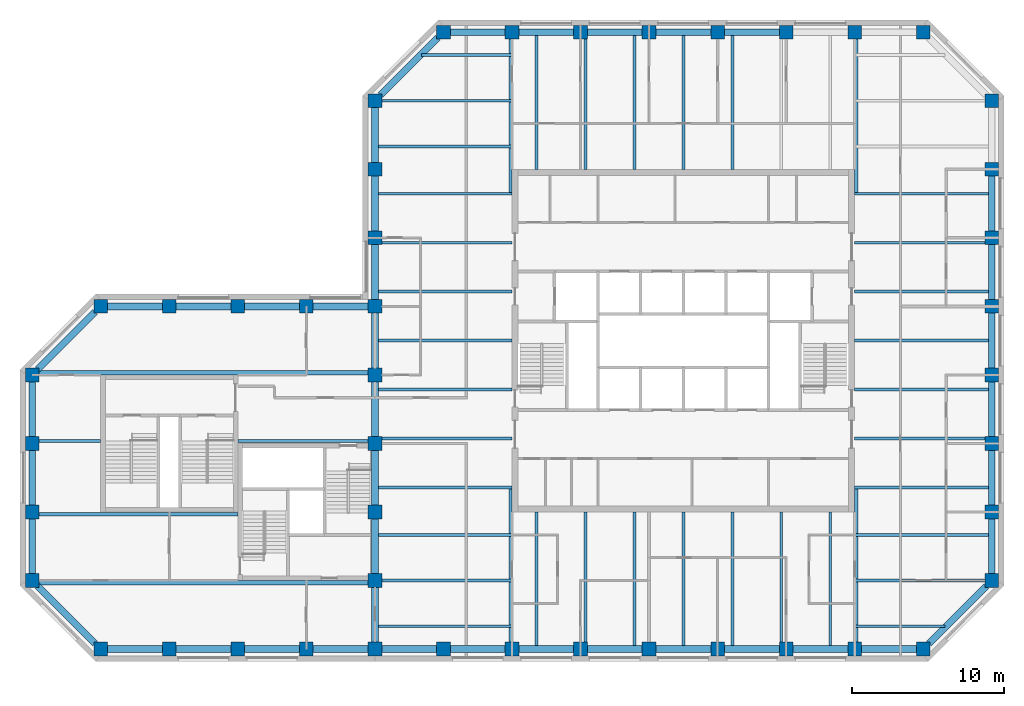
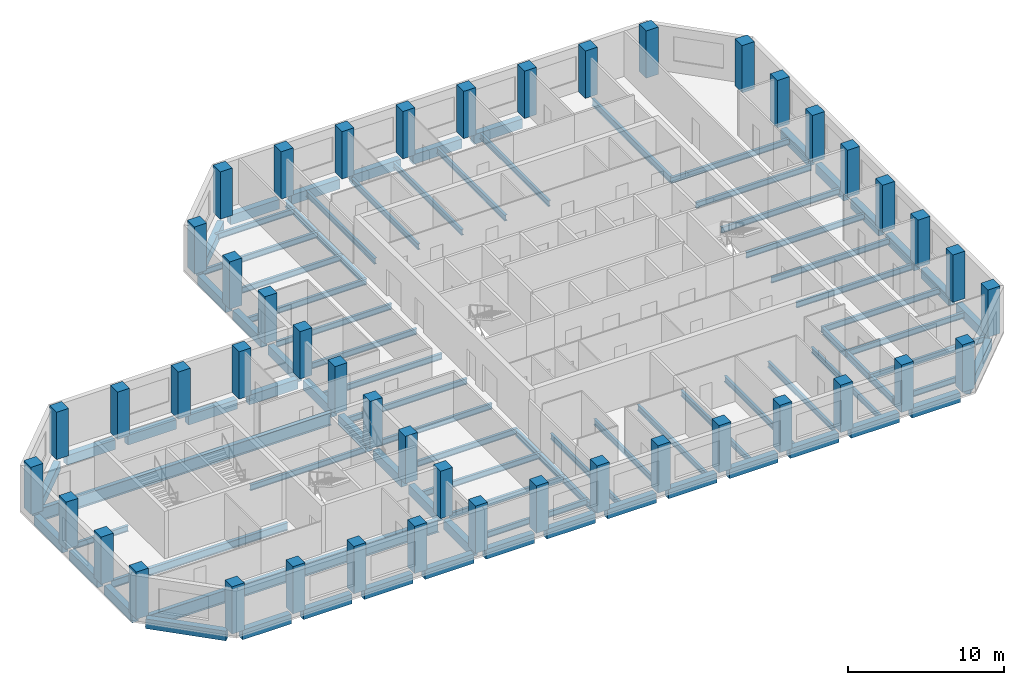
# One storey, part 1 of 9: 86 beams, 45 columns.
"""IFC4 building model written with IfcOpenShell, lengths in metres."""

from ifc_helpers import new_model, si_unit, direction, frame, origin, origin_2d, place, context, subcontext, project, spatial, rectangle, i_section, extrude, material, material_profile, profile_set, type_object, element, save


model = new_model("IFC4")

# Units and contexts
model_context = context("Model", 3, precision=1e-05, world=origin(), true_north=direction((0.0, 1.0)))
body_context = subcontext(model_context, "Body", "Model", "MODEL_VIEW")
ifc_project = project(units=[si_unit("LENGTHUNIT", "METRE"), si_unit("AREAUNIT", "SQUARE_METRE"), si_unit("VOLUMEUNIT", "CUBIC_METRE"), si_unit("PLANEANGLEUNIT", "RADIAN"), si_unit("MASSUNIT", "GRAM", prefix="KILO")], contexts=[model_context])

# Site, building, storey
site_placement = place(None, origin())
site = spatial("IfcSite", under=ifc_project, at=site_placement, CompositionType="ELEMENT")
building_placement = place(site_placement, origin())
building = spatial("IfcBuilding", under=site, at=building_placement, Name="Quoin Convention Tower", CompositionType="ELEMENT")
storey_placement = place(building_placement, frame((0.0, 0.0, 237.800048828125)))
storey = spatial("IfcBuildingStorey", under=building, at=storey_placement, Name="L62", CompositionType="ELEMENT", Elevation=237.800048828125)

# Columns
ifc_material_1 = material(Name="Concrete C50", Category="concrete")
ifc_material_profile_1 = material_profile(ifc_material_1, rectangle(XDim=0.89990234375, YDim=0.89990234375, at=origin_2d()), Name="RC 900x900")
ifc_profile_set_1 = profile_set([ifc_material_profile_1], Name="Concrete C50")
column_type = type_object("IfcColumnType", Name="RC 900x900 C50", PredefinedType="COLUMN", material=ifc_profile_set_1)
for number, where, z_axis, x_axis, name in (
    (1, (18.0, 40.5, 0.0), (0.0, 0.0, 1.0), (1.0, 0.0, 0.0), "col-L62-18000_40500"),
    (2, (22.5, 40.5, 0.0), (0.0, 0.0, 1.0), (1.0, 0.0, 0.0), "col-L62-22500_40500"),
    (3, (27.0, 40.5, 0.0), (0.0, 0.0, 1.0), (1.0, 0.0, 0.0), "col-L62-27000_40500"),
    (4, (31.5, 40.5, 0.0), (0.0, 0.0, 1.0), (1.0, 0.0, 0.0), "col-L62-31500_40500"),
    (5, (36.0, 40.5, 0.0), (0.0, 0.0, 1.0), (1.0, 0.0, 0.0), "col-L62-36000_40500"),
    (6, (40.5, 40.5, 0.0), (0.0, 0.0, 1.0), (1.0, 0.0, 0.0), "col-L62-40500_40500"),
    (7, (45.0, 40.5, 0.0), (0.0, 0.0, 1.0), (1.0, 0.0, 0.0), "col-L62-45000_40500"),
    (8, (49.5, 40.5, 0.0), (0.0, 0.0, 1.0), (1.0, 0.0, 0.0), "col-L62-49500_40500"),
    (9, (54.0, 40.5, 0.0), (0.0, 0.0, 1.0), (1.0, 0.0, 0.0), "col-L62-54000_40500"),
    (10, (58.5, 40.5, 0.0), (0.0, 0.0, 1.0), (1.0, 0.0, 0.0), "col-L62-58500_40500"),
    (11, (63.0, 40.5, 0.0), (0.0, 0.0, 1.0), (1.0, 0.0, 0.0), "col-L62-63000_40500"),
    (12, (67.5, 40.5, 0.0), (0.0, 0.0, 1.0), (1.0, 0.0, 0.0), "col-L62-67500_40500"),
    (13, (72.0, 40.5, 0.0), (0.0, 0.0, 1.0), (1.0, 0.0, 0.0), "col-L62-72000_40500"),
    (14, (13.5, 45.0, 0.0), (0.0, 0.0, 1.0), (1.0, 0.0, 0.0), "col-L62-13500_45000"),
    (15, (36.0, 45.0, 0.0), (0.0, 0.0, 1.0), (1.0, 0.0, 0.0), "web-L62-36000_45000"),
    (16, (76.5, 45.0, 0.0), (0.0, 0.0, 1.0), (1.0, 0.0, 0.0), "col-L62-76500_45000"),
    (17, (13.5, 49.5, 0.0), (0.0, 0.0, 1.0), (1.0, 0.0, 0.0), "col-L62-13500_49500"),
    (18, (36.0, 49.5, 0.0), (0.0, 0.0, 1.0), (1.0, 0.0, 0.0), "web-L62-36000_49500"),
    (19, (76.5, 49.5, 0.0), (0.0, 0.0, 1.0), (1.0, 0.0, 0.0), "col-L62-76500_49500"),
    (20, (13.5, 54.0, 0.0), (0.0, 0.0, 1.0), (1.0, 0.0, 0.0), "col-L62-13500_54000"),
    (21, (36.0, 54.0, 0.0), (0.0, 0.0, 1.0), (1.0, 0.0, 0.0), "web-L62-36000_54000"),
    (22, (76.5, 54.0, 0.0), (0.0, 0.0, 1.0), (1.0, 0.0, 0.0), "col-L62-76500_54000"),
    (23, (13.5, 58.5, 0.0), (0.0, 0.0, 1.0), (1.0, 0.0, 0.0), "col-L62-13500_58500"),
    (24, (36.0, 58.5, 0.0), (0.0, 0.0, 1.0), (1.0, 0.0, 0.0), "web-L62-36000_58500"),
    (25, (76.5, 58.5, 0.0), (0.0, 0.0, 1.0), (1.0, 0.0, 0.0), "col-L62-76500_58500"),
    (26, (18.0, 63.0, 0.0), (0.0, 0.0, 1.0), (1.0, 0.0, 0.0), "col-L62-18000_63000"),
    (27, (22.5, 63.0, 0.0), (0.0, 0.0, 1.0), (1.0, 0.0, 0.0), "col-L62-22500_63000"),
    (28, (27.0, 63.0, 0.0), (0.0, 0.0, 1.0), (1.0, 0.0, 0.0), "col-L62-27000_63000"),
    (29, (31.5, 63.0, 0.0), (0.0, 0.0, 1.0), (1.0, 0.0, 0.0), "col-L62-31500_63000"),
    (30, (36.0, 63.0, 0.0), (0.0, 0.0, 1.0), (1.0, 0.0, 0.0), "col-L62-36000_63000"),
    (31, (76.5, 63.0, 0.0), (0.0, 0.0, 1.0), (1.0, 0.0, 0.0), "col-L62-76500_63000"),
    (32, (36.0, 67.5, 0.0), (0.0, 0.0, 1.0), (1.0, 0.0, 0.0), "col-L62-36000_67500"),
    (33, (76.5, 67.5, 0.0), (0.0, 0.0, 1.0), (1.0, 0.0, 0.0), "col-L62-76500_67500"),
    (34, (36.0, 72.0, 0.0), (0.0, 0.0, 1.0), (1.0, 0.0, 0.0), "col-L62-36000_72000"),
    (35, (76.5, 72.0, 0.0), (0.0, 0.0, 1.0), (1.0, 0.0, 0.0), "col-L62-76500_72000"),
    (36, (36.0, 76.5, 0.0), (0.0, 0.0, 1.0), (1.0, 0.0, 0.0), "col-L62-36000_76500"),
    (37, (76.5, 76.5, 0.0), (0.0, 0.0, 1.0), (1.0, 0.0, 0.0), "col-L62-76500_76500"),
    (38, (40.5, 81.0, 0.0), (0.0, 0.0, 1.0), (1.0, 0.0, 0.0), "col-L62-40500_81000"),
    (39, (45.0, 81.0, 0.0), (0.0, 0.0, 1.0), (1.0, 0.0, 0.0), "col-L62-45000_81000"),
    (40, (49.5, 81.0, 0.0), (0.0, 0.0, 1.0), (1.0, 0.0, 0.0), "col-L62-49500_81000"),
    (41, (54.0, 81.0, 0.0), (0.0, 0.0, 1.0), (1.0, 0.0, 0.0), "col-L62-54000_81000"),
    (42, (58.5, 81.0, 0.0), (0.0, 0.0, 1.0), (1.0, 0.0, 0.0), "col-L62-58500_81000"),
    (43, (63.0, 81.0, 0.0), (0.0, 0.0, 1.0), (1.0, 0.0, 0.0), "col-L62-63000_81000"),
    (44, (67.5, 81.0, 0.0), (0.0, 0.0, 1.0), (1.0, 0.0, 0.0), "col-L62-67500_81000"),
    (45, (72.0, 81.0, 0.0), (0.0, 0.0, 1.0), (1.0, 0.0, 0.0), "col-L62-72000_81000"),
):
    element("IfcColumn", number, at=place(storey_placement, frame(where, z_axis=z_axis, x_axis=x_axis)), inside=storey, type_object=column_type, Name=name, PredefinedType="COLUMN", context=body_context, shape_type="SweptSolid", body=[
        extrude(rectangle(XDim=0.89990234375, YDim=0.89990234375, at=origin_2d()), origin(), (0.0, 0.0, 1.0), 3.699951171875),
    ])

# Beams
ifc_material_2 = material(Name="Steel Grade 300", Category="steel")
ifc_material_profile_2 = material_profile(ifc_material_2, i_section(OverallWidth=0.300048828125, OverallDepth=1.0, WebThickness=0.01611328125, FlangeThickness=0.02001953125, at=origin_2d()), Name="1000WB215")
ifc_profile_set_2 = profile_set([ifc_material_profile_2], Name="Steel Grade 300")
beam_type_1 = type_object("IfcBeamType", Name="1000WB215", PredefinedType="BEAM", material=ifc_profile_set_2)
for number, where, z_axis, x_axis, name in (
    (46, (13.949951171875, 44.85009765625, -0.650146484375), (1.0, 0.0, 0.0), (0.0, 1.0, 0.0), "gir-L62-ST2-1-0"),
    (47, (13.949951171875, 58.64990234375, -0.650146484375), (1.0, 0.0, 0.0), (0.0, 1.0, 0.0), "gir-L62-ST2-4-0"),
):
    element("IfcBeam", number, at=place(storey_placement, frame(where, z_axis=z_axis, x_axis=x_axis)), inside=storey, type_object=beam_type_1, Name=name, PredefinedType="BEAM", context=body_context, shape_type="SweptSolid", body=[
        extrude(i_section(OverallWidth=0.300048828125, OverallDepth=1.0, WebThickness=0.01611328125, FlangeThickness=0.02001953125, at=origin_2d()), origin(), (0.0, 0.0, 1.0), 21.60009765625),
    ])
ifc_material_profile_3 = material_profile(ifc_material_2, i_section(OverallWidth=0.18994140625, OverallDepth=0.4541015625, WebThickness=0.008544921875, FlangeThickness=0.0126953125, FilletRadius=0.011474609375, at=origin_2d()), Name="460UB67.1")
ifc_profile_set_3 = profile_set([ifc_material_profile_3], Name="Steel Grade 300")
beam_type_2 = type_object("IfcBeamType", Name="460UB67.1", PredefinedType="BEAM", material=ifc_profile_set_3)
beam_1_placement = place(storey_placement, frame((36.22509765625, 51.107177734375, -0.376953125), z_axis=(1.0, 0.0, 0.0), x_axis=(0.0, 1.0, 0.0)))
element("IfcBeam", 48, at=beam_1_placement, inside=storey, type_object=beam_type_2, Name="bm-L62-T1W0", PredefinedType="BEAM", context=body_context, shape_type="SweptSolid", body=[
    extrude(i_section(OverallWidth=0.18994140625, OverallDepth=0.4541015625, WebThickness=0.008544921875, FlangeThickness=0.0126953125, FilletRadius=0.011474609375, at=origin_2d()), origin(), (0.0, 0.0, 1.0), 8.77490234375),
])
beam_2_placement = place(storey_placement, frame((36.449951171875, 54.3212890625, -0.376953125), z_axis=(1.0, 0.0, 0.0), x_axis=(0.0, 1.0, 0.0)))
element("IfcBeam", 49, at=beam_2_placement, inside=storey, type_object=beam_type_2, Name="bm-L62-T1W1", PredefinedType="BEAM", context=body_context, shape_type="SweptSolid", body=[
    extrude(i_section(OverallWidth=0.18994140625, OverallDepth=0.4541015625, WebThickness=0.008544921875, FlangeThickness=0.0126953125, FilletRadius=0.011474609375, at=origin_2d()), origin(), (0.0, 0.0, 1.0), 8.550048828125),
])
for number, where, z_axis, x_axis, name in (
    (50, (36.22509765625, 57.53564453125, -0.376953125), (1.0, 0.0, 0.0), (0.0, 1.0, 0.0), "bm-L62-T1W2"),
    (51, (36.22509765625, 60.75, -0.376953125), (1.0, 0.0, 0.0), (0.0, 1.0, 0.0), "bm-L62-T1W3"),
    (52, (36.22509765625, 63.96435546875, -0.376953125), (1.0, 0.0, 0.0), (0.0, 1.0, 0.0), "bm-L62-T1W4"),
):
    element("IfcBeam", number, at=place(storey_placement, frame(where, z_axis=z_axis, x_axis=x_axis)), inside=storey, type_object=beam_type_2, Name=name, PredefinedType="BEAM", context=body_context, shape_type="SweptSolid", body=[
        extrude(i_section(OverallWidth=0.18994140625, OverallDepth=0.4541015625, WebThickness=0.008544921875, FlangeThickness=0.0126953125, FilletRadius=0.011474609375, at=origin_2d()), origin(), (0.0, 0.0, 1.0), 8.77490234375),
    ])
beam_3_placement = place(storey_placement, frame((36.449951171875, 67.1787109375, -0.376953125), z_axis=(1.0, 0.0, 0.0), x_axis=(0.0, 1.0, 0.0)))
element("IfcBeam", 53, at=beam_3_placement, inside=storey, type_object=beam_type_2, Name="bm-L62-T1W5", PredefinedType="BEAM", context=body_context, shape_type="SweptSolid", body=[
    extrude(i_section(OverallWidth=0.18994140625, OverallDepth=0.4541015625, WebThickness=0.008544921875, FlangeThickness=0.0126953125, FilletRadius=0.011474609375, at=origin_2d()), origin(), (0.0, 0.0, 1.0), 8.550048828125),
])
for number, where, z_axis, x_axis, name in (
    (54, (36.22509765625, 70.392822265625, -0.376953125), (1.0, 0.0, 0.0), (0.0, 1.0, 0.0), "bm-L62-T1W6"),
    (55, (67.5, 51.107177734375, -0.376953125), (1.0, 0.0, 0.0), (0.0, 1.0, 0.0), "bm-L62-T1E0"),
):
    element("IfcBeam", number, at=place(storey_placement, frame(where, z_axis=z_axis, x_axis=x_axis)), inside=storey, type_object=beam_type_2, Name=name, PredefinedType="BEAM", context=body_context, shape_type="SweptSolid", body=[
        extrude(i_section(OverallWidth=0.18994140625, OverallDepth=0.4541015625, WebThickness=0.008544921875, FlangeThickness=0.0126953125, FilletRadius=0.011474609375, at=origin_2d()), origin(), (0.0, 0.0, 1.0), 8.77490234375),
    ])
beam_4_placement = place(storey_placement, frame((67.5, 54.3212890625, -0.376953125), z_axis=(1.0, 0.0, 0.0), x_axis=(0.0, 1.0, 0.0)))
element("IfcBeam", 56, at=beam_4_placement, inside=storey, type_object=beam_type_2, Name="bm-L62-T1E1", PredefinedType="BEAM", context=body_context, shape_type="SweptSolid", body=[
    extrude(i_section(OverallWidth=0.18994140625, OverallDepth=0.4541015625, WebThickness=0.008544921875, FlangeThickness=0.0126953125, FilletRadius=0.011474609375, at=origin_2d()), origin(), (0.0, 0.0, 1.0), 8.550048828125),
])
for number, where, z_axis, x_axis, name in (
    (57, (67.5, 57.53564453125, -0.376953125), (1.0, 0.0, 0.0), (0.0, 1.0, 0.0), "bm-L62-T1E2"),
    (58, (67.5, 60.75, -0.376953125), (1.0, 0.0, 0.0), (0.0, 1.0, 0.0), "bm-L62-T1E3"),
    (59, (67.5, 63.96435546875, -0.376953125), (1.0, 0.0, 0.0), (0.0, 1.0, 0.0), "bm-L62-T1E4"),
):
    element("IfcBeam", number, at=place(storey_placement, frame(where, z_axis=z_axis, x_axis=x_axis)), inside=storey, type_object=beam_type_2, Name=name, PredefinedType="BEAM", context=body_context, shape_type="SweptSolid", body=[
        extrude(i_section(OverallWidth=0.18994140625, OverallDepth=0.4541015625, WebThickness=0.008544921875, FlangeThickness=0.0126953125, FilletRadius=0.011474609375, at=origin_2d()), origin(), (0.0, 0.0, 1.0), 8.77490234375),
    ])
beam_5_placement = place(storey_placement, frame((67.5, 67.1787109375, -0.376953125), z_axis=(1.0, 0.0, 0.0), x_axis=(0.0, 1.0, 0.0)))
element("IfcBeam", 60, at=beam_5_placement, inside=storey, type_object=beam_type_2, Name="bm-L62-T1E5", PredefinedType="BEAM", context=body_context, shape_type="SweptSolid", body=[
    extrude(i_section(OverallWidth=0.18994140625, OverallDepth=0.4541015625, WebThickness=0.008544921875, FlangeThickness=0.0126953125, FilletRadius=0.011474609375, at=origin_2d()), origin(), (0.0, 0.0, 1.0), 8.550048828125),
])
for number, where, z_axis, x_axis, name in (
    (61, (67.5, 70.392822265625, -0.376953125), (1.0, 0.0, 0.0), (0.0, 1.0, 0.0), "bm-L62-T1E6"),
    (62, (46.607177734375, 40.72509765625, -0.376953125), (0.0, 1.0, 0.0), (-1.0, 0.0, 0.0), "bm-L62-T1S0"),
):
    element("IfcBeam", number, at=place(storey_placement, frame(where, z_axis=z_axis, x_axis=x_axis)), inside=storey, type_object=beam_type_2, Name=name, PredefinedType="BEAM", context=body_context, shape_type="SweptSolid", body=[
        extrude(i_section(OverallWidth=0.18994140625, OverallDepth=0.4541015625, WebThickness=0.008544921875, FlangeThickness=0.0126953125, FilletRadius=0.011474609375, at=origin_2d()), origin(), (0.0, 0.0, 1.0), 8.77490234375),
    ])
beam_6_placement = place(storey_placement, frame((49.8212890625, 40.949951171875, -0.376953125), z_axis=(0.0, 1.0, 0.0), x_axis=(-1.0, 0.0, 0.0)))
element("IfcBeam", 63, at=beam_6_placement, inside=storey, type_object=beam_type_2, Name="bm-L62-T1S1", PredefinedType="BEAM", context=body_context, shape_type="SweptSolid", body=[
    extrude(i_section(OverallWidth=0.18994140625, OverallDepth=0.4541015625, WebThickness=0.008544921875, FlangeThickness=0.0126953125, FilletRadius=0.011474609375, at=origin_2d()), origin(), (0.0, 0.0, 1.0), 8.550048828125),
])
for number, where, z_axis, x_axis, name in (
    (64, (53.03564453125, 40.72509765625, -0.376953125), (0.0, 1.0, 0.0), (-1.0, 0.0, 0.0), "bm-L62-T1S2"),
    (65, (56.25, 40.72509765625, -0.376953125), (0.0, 1.0, 0.0), (-1.0, 0.0, 0.0), "bm-L62-T1S3"),
    (66, (59.46435546875, 40.72509765625, -0.376953125), (0.0, 1.0, 0.0), (-1.0, 0.0, 0.0), "bm-L62-T1S4"),
):
    element("IfcBeam", number, at=place(storey_placement, frame(where, z_axis=z_axis, x_axis=x_axis)), inside=storey, type_object=beam_type_2, Name=name, PredefinedType="BEAM", context=body_context, shape_type="SweptSolid", body=[
        extrude(i_section(OverallWidth=0.18994140625, OverallDepth=0.4541015625, WebThickness=0.008544921875, FlangeThickness=0.0126953125, FilletRadius=0.011474609375, at=origin_2d()), origin(), (0.0, 0.0, 1.0), 8.77490234375),
    ])
beam_7_placement = place(storey_placement, frame((62.6787109375, 40.949951171875, -0.376953125), z_axis=(0.0, 1.0, 0.0), x_axis=(-1.0, 0.0, 0.0)))
element("IfcBeam", 67, at=beam_7_placement, inside=storey, type_object=beam_type_2, Name="bm-L62-T1S5", PredefinedType="BEAM", context=body_context, shape_type="SweptSolid", body=[
    extrude(i_section(OverallWidth=0.18994140625, OverallDepth=0.4541015625, WebThickness=0.008544921875, FlangeThickness=0.0126953125, FilletRadius=0.011474609375, at=origin_2d()), origin(), (0.0, 0.0, 1.0), 8.550048828125),
])
for number, where, z_axis, x_axis, name in (
    (68, (65.892822265625, 40.72509765625, -0.376953125), (0.0, 1.0, 0.0), (-1.0, 0.0, 0.0), "bm-L62-T1S6"),
    (69, (46.607177734375, 72.0, -0.376953125), (0.0, 1.0, 0.0), (-1.0, 0.0, 0.0), "bm-L62-T1N0"),
):
    element("IfcBeam", number, at=place(storey_placement, frame(where, z_axis=z_axis, x_axis=x_axis)), inside=storey, type_object=beam_type_2, Name=name, PredefinedType="BEAM", context=body_context, shape_type="SweptSolid", body=[
        extrude(i_section(OverallWidth=0.18994140625, OverallDepth=0.4541015625, WebThickness=0.008544921875, FlangeThickness=0.0126953125, FilletRadius=0.011474609375, at=origin_2d()), origin(), (0.0, 0.0, 1.0), 8.77490234375),
    ])
beam_8_placement = place(storey_placement, frame((49.8212890625, 72.0, -0.376953125), z_axis=(0.0, 1.0, 0.0), x_axis=(-1.0, 0.0, 0.0)))
element("IfcBeam", 70, at=beam_8_placement, inside=storey, type_object=beam_type_2, Name="bm-L62-T1N1", PredefinedType="BEAM", context=body_context, shape_type="SweptSolid", body=[
    extrude(i_section(OverallWidth=0.18994140625, OverallDepth=0.4541015625, WebThickness=0.008544921875, FlangeThickness=0.0126953125, FilletRadius=0.011474609375, at=origin_2d()), origin(), (0.0, 0.0, 1.0), 8.550048828125),
])
for number, where, z_axis, x_axis, name in (
    (71, (53.03564453125, 72.0, -0.376953125), (0.0, 1.0, 0.0), (-1.0, 0.0, 0.0), "bm-L62-T1N2"),
    (72, (56.25, 72.0, -0.376953125), (0.0, 1.0, 0.0), (-1.0, 0.0, 0.0), "bm-L62-T1N3"),
    (73, (59.46435546875, 72.0, -0.376953125), (0.0, 1.0, 0.0), (-1.0, 0.0, 0.0), "bm-L62-T1N4"),
    (74, (36.22509765625, 42.0, -0.376953125), (1.0, 0.0, 0.0), (0.0, 1.0, 0.0), "bm-L62-T1SW0"),
):
    element("IfcBeam", number, at=place(storey_placement, frame(where, z_axis=z_axis, x_axis=x_axis)), inside=storey, type_object=beam_type_2, Name=name, PredefinedType="BEAM", context=body_context, shape_type="SweptSolid", body=[
        extrude(i_section(OverallWidth=0.18994140625, OverallDepth=0.4541015625, WebThickness=0.008544921875, FlangeThickness=0.0126953125, FilletRadius=0.011474609375, at=origin_2d()), origin(), (0.0, 0.0, 1.0), 8.77490234375),
    ])
beam_9_placement = place(storey_placement, frame((36.449951171875, 45.0, -0.376953125), z_axis=(1.0, 0.0, 0.0), x_axis=(0.0, 1.0, 0.0)))
element("IfcBeam", 75, at=beam_9_placement, inside=storey, type_object=beam_type_2, Name="bm-L62-T1SW1", PredefinedType="BEAM", context=body_context, shape_type="SweptSolid", body=[
    extrude(i_section(OverallWidth=0.18994140625, OverallDepth=0.4541015625, WebThickness=0.008544921875, FlangeThickness=0.0126953125, FilletRadius=0.011474609375, at=origin_2d()), origin(), (0.0, 0.0, 1.0), 8.550048828125),
])
beam_10_placement = place(storey_placement, frame((36.22509765625, 48.0, -0.376953125), z_axis=(1.0, 0.0, 0.0), x_axis=(0.0, 1.0, 0.0)))
element("IfcBeam", 76, at=beam_10_placement, inside=storey, type_object=beam_type_2, Name="bm-L62-T1SW2", PredefinedType="BEAM", context=body_context, shape_type="SweptSolid", body=[
    extrude(i_section(OverallWidth=0.18994140625, OverallDepth=0.4541015625, WebThickness=0.008544921875, FlangeThickness=0.0126953125, FilletRadius=0.011474609375, at=origin_2d()), origin(), (0.0, 0.0, 1.0), 8.77490234375),
])
beam_11_placement = place(storey_placement, frame((67.5, 42.0, -0.376953125), z_axis=(1.0, 0.0, 0.0), x_axis=(0.0, 1.0, 0.0)))
element("IfcBeam", 77, at=beam_11_placement, inside=storey, type_object=beam_type_2, Name="bm-L62-T1SE0", PredefinedType="BEAM", context=body_context, shape_type="SweptSolid", body=[
    extrude(i_section(OverallWidth=0.18994140625, OverallDepth=0.4541015625, WebThickness=0.008544921875, FlangeThickness=0.0126953125, FilletRadius=0.011474609375, at=origin_2d()), origin(), (0.0, 0.0, 1.0), 5.935791015625),
])
beam_12_placement = place(storey_placement, frame((67.5, 45.0, -0.376953125), z_axis=(1.0, 0.0, 0.0), x_axis=(0.0, 1.0, 0.0)))
element("IfcBeam", 78, at=beam_12_placement, inside=storey, type_object=beam_type_2, Name="bm-L62-T1SE1", PredefinedType="BEAM", context=body_context, shape_type="SweptSolid", body=[
    extrude(i_section(OverallWidth=0.18994140625, OverallDepth=0.4541015625, WebThickness=0.008544921875, FlangeThickness=0.0126953125, FilletRadius=0.011474609375, at=origin_2d()), origin(), (0.0, 0.0, 1.0), 8.550048828125),
])
beam_13_placement = place(storey_placement, frame((67.5, 48.0, -0.376953125), z_axis=(1.0, 0.0, 0.0), x_axis=(0.0, 1.0, 0.0)))
element("IfcBeam", 79, at=beam_13_placement, inside=storey, type_object=beam_type_2, Name="bm-L62-T1SE2", PredefinedType="BEAM", context=body_context, shape_type="SweptSolid", body=[
    extrude(i_section(OverallWidth=0.18994140625, OverallDepth=0.4541015625, WebThickness=0.008544921875, FlangeThickness=0.0126953125, FilletRadius=0.011474609375, at=origin_2d()), origin(), (0.0, 0.0, 1.0), 8.77490234375),
])
beam_14_placement = place(storey_placement, frame((39.064208984375, 79.5, -0.376953125), z_axis=(1.0, 0.0, 0.0), x_axis=(0.0, 1.0, 0.0)))
element("IfcBeam", 80, at=beam_14_placement, inside=storey, type_object=beam_type_2, Name="bm-L62-T1NW0", PredefinedType="BEAM", context=body_context, shape_type="SweptSolid", body=[
    extrude(i_section(OverallWidth=0.18994140625, OverallDepth=0.4541015625, WebThickness=0.008544921875, FlangeThickness=0.0126953125, FilletRadius=0.011474609375, at=origin_2d()), origin(), (0.0, 0.0, 1.0), 5.935791015625),
])
beam_15_placement = place(storey_placement, frame((36.449951171875, 76.5, -0.376953125), z_axis=(1.0, 0.0, 0.0), x_axis=(0.0, 1.0, 0.0)))
element("IfcBeam", 81, at=beam_15_placement, inside=storey, type_object=beam_type_2, Name="bm-L62-T1NW1", PredefinedType="BEAM", context=body_context, shape_type="SweptSolid", body=[
    extrude(i_section(OverallWidth=0.18994140625, OverallDepth=0.4541015625, WebThickness=0.008544921875, FlangeThickness=0.0126953125, FilletRadius=0.011474609375, at=origin_2d()), origin(), (0.0, 0.0, 1.0), 8.550048828125),
])
beam_16_placement = place(storey_placement, frame((36.22509765625, 73.5, -0.376953125), z_axis=(1.0, 0.0, 0.0), x_axis=(0.0, 1.0, 0.0)))
element("IfcBeam", 82, at=beam_16_placement, inside=storey, type_object=beam_type_2, Name="bm-L62-T1NW2", PredefinedType="BEAM", context=body_context, shape_type="SweptSolid", body=[
    extrude(i_section(OverallWidth=0.18994140625, OverallDepth=0.4541015625, WebThickness=0.008544921875, FlangeThickness=0.0126953125, FilletRadius=0.011474609375, at=origin_2d()), origin(), (0.0, 0.0, 1.0), 8.77490234375),
])
beam_17_placement = place(storey_placement, frame((13.949951171875, 54.14990234375, -0.376953125), z_axis=(1.0, 0.0, 0.0), x_axis=(0.0, 1.0, 0.0)))
element("IfcBeam", 83, at=beam_17_placement, inside=storey, type_object=beam_type_2, Name="gir-L62-ST2-3-0", PredefinedType="BEAM", context=body_context, shape_type="SweptSolid", body=[
    extrude(i_section(OverallWidth=0.18994140625, OverallDepth=0.4541015625, WebThickness=0.008544921875, FlangeThickness=0.0126953125, FilletRadius=0.011474609375, at=origin_2d()), origin(), (0.0, 0.0, 1.0), 4.050048828125),
])
beam_18_placement = place(storey_placement, frame((27.0, 54.14990234375, -0.376953125), z_axis=(1.0, 0.0, 0.0), x_axis=(0.0, 1.0, 0.0)))
element("IfcBeam", 84, at=beam_18_placement, inside=storey, type_object=beam_type_2, Name="gir-L62-ST2-3-1", PredefinedType="BEAM", context=body_context, shape_type="SweptSolid", body=[
    extrude(i_section(OverallWidth=0.18994140625, OverallDepth=0.4541015625, WebThickness=0.008544921875, FlangeThickness=0.0126953125, FilletRadius=0.011474609375, at=origin_2d()), origin(), (0.0, 0.0, 1.0), 8.550048828125),
])
ifc_material_profile_4 = material_profile(ifc_material_2, i_section(OverallWidth=0.208984375, OverallDepth=0.528076171875, WebThickness=0.009521484375, FlangeThickness=0.01318359375, FilletRadius=0.013916015625, at=origin_2d()), Name="530UB82.0")
ifc_profile_set_4 = profile_set([ifc_material_profile_4], Name="Steel Grade 300")
beam_type_3 = type_object("IfcBeamType", Name="530UB82.0", PredefinedType="BEAM", material=ifc_profile_set_4)
for number, where, z_axis, x_axis, name in (
    (85, (44.904541015625, 40.949951171875, -0.4140625), (0.0, 1.0, 0.0), (-1.0, 0.0, 0.0), "gir-L62-T1SW"),
    (86, (67.595458984375, 40.949951171875, -0.4140625), (0.0, 1.0, 0.0), (-1.0, 0.0, 0.0), "gir-L62-T1SE"),
    (87, (44.904541015625, 80.550048828125, -0.4140625), (0.0, -1.0, 0.0), (1.0, 0.0, 0.0), "gir-L62-T1NW"),
    (88, (67.595458984375, 80.550048828125, -0.4140625), (0.0, -1.0, 0.0), (1.0, 0.0, 0.0), "gir-L62-T1NE"),
):
    element("IfcBeam", number, at=place(storey_placement, frame(where, z_axis=z_axis, x_axis=x_axis)), inside=storey, type_object=beam_type_3, Name=name, PredefinedType="BEAM", context=body_context, shape_type="SweptSolid", body=[
        extrude(i_section(OverallWidth=0.208984375, OverallDepth=0.528076171875, WebThickness=0.009521484375, FlangeThickness=0.01318359375, FilletRadius=0.013916015625, at=origin_2d()), origin(), (0.0, 0.0, 1.0), 10.062255859375),
    ])
ifc_material_profile_5 = material_profile(ifc_material_2, i_section(OverallWidth=0.22802734375, OverallDepth=0.60205078125, WebThickness=0.010498046875, FlangeThickness=0.014892578125, FilletRadius=0.013916015625, at=origin_2d()), Name="610UB101")
ifc_profile_set_5 = profile_set([ifc_material_profile_5], Name="Steel Grade 300")
beam_type_4 = type_object("IfcBeamType", Name="610UB101", PredefinedType="BEAM", material=ifc_profile_set_5)
beam_19_placement = place(storey_placement, frame((13.949951171875, 49.35009765625, -0.450927734375), z_axis=(1.0, 0.0, 0.0), x_axis=(0.0, 1.0, 0.0)))
element("IfcBeam", 89, at=beam_19_placement, inside=storey, type_object=beam_type_4, Name="gir-L62-ST2-2-0", PredefinedType="BEAM", context=body_context, shape_type="SweptSolid", body=[
    extrude(i_section(OverallWidth=0.22802734375, OverallDepth=0.60205078125, WebThickness=0.010498046875, FlangeThickness=0.014892578125, FilletRadius=0.013916015625, at=origin_2d()), origin(), (0.0, 0.0, 1.0), 13.050048828125),
])
ifc_material_profile_6 = material_profile(ifc_material_1, rectangle(XDim=0.449951171875, YDim=0.75, at=origin_2d()), Name="RC 450x750")
ifc_profile_set_6 = profile_set([ifc_material_profile_6], Name="Concrete C50")
beam_type_5 = type_object("IfcBeamType", Name="RC 450x750 C50", PredefinedType="SPANDREL", material=ifc_profile_set_6)
for number, where, z_axis, x_axis, name in (
    (90, (36.449951171875, 40.5, -0.525146484375), (1.0, 0.0, 0.0), (0.0, 1.0, 0.0), "spd-L62-36000_40500-40500_40500"),
    (91, (40.949951171875, 40.5, -0.525146484375), (1.0, 0.0, 0.0), (0.0, 1.0, 0.0), "spd-L62-40500_40500-45000_40500"),
    (92, (45.449951171875, 40.5, -0.525146484375), (1.0, 0.0, 0.0), (0.0, 1.0, 0.0), "spd-L62-45000_40500-49500_40500"),
    (93, (49.949951171875, 40.5, -0.525146484375), (1.0, 0.0, 0.0), (0.0, 1.0, 0.0), "spd-L62-49500_40500-54000_40500"),
    (94, (54.449951171875, 40.5, -0.525146484375), (1.0, 0.0, 0.0), (0.0, 1.0, 0.0), "spd-L62-54000_40500-58500_40500"),
    (95, (58.949951171875, 40.5, -0.525146484375), (1.0, 0.0, 0.0), (0.0, 1.0, 0.0), "spd-L62-58500_40500-63000_40500"),
    (96, (63.449951171875, 40.5, -0.525146484375), (1.0, 0.0, 0.0), (0.0, 1.0, 0.0), "spd-L62-63000_40500-67500_40500"),
    (97, (67.949951171875, 40.5, -0.525146484375), (1.0, 0.0, 0.0), (0.0, 1.0, 0.0), "spd-L62-67500_40500-72000_40500"),
):
    element("IfcBeam", number, at=place(storey_placement, frame(where, z_axis=z_axis, x_axis=x_axis)), inside=storey, type_object=beam_type_5, Name=name, PredefinedType="SPANDREL", context=body_context, shape_type="SweptSolid", body=[
        extrude(rectangle(XDim=0.449951171875, YDim=0.75, at=origin_2d()), origin(), (0.0, 0.0, 1.0), 3.60009765625),
    ])
beam_20_placement = place(storey_placement, frame((72.364990234375, 40.864990234375, -0.525146484375), z_axis=(0.707106781187, 0.707106781187, 0.0), x_axis=(-0.707106781187, 0.707106781187, 0.0)))
element("IfcBeam", 98, at=beam_20_placement, inside=storey, type_object=beam_type_5, Name="spd-L62-72000_40500-76500_45000", PredefinedType="SPANDREL", context=body_context, shape_type="SweptSolid", body=[
    extrude(rectangle(XDim=0.449951171875, YDim=0.75, at=origin_2d()), origin(), (0.0, 0.0, 1.0), 5.33154296875),
])
for number, where, z_axis, x_axis, name in (
    (99, (76.5, 45.449951171875, -0.525146484375), (0.0, 1.0, 0.0), (-1.0, 0.0, 0.0), "spd-L62-76500_45000-76500_49500"),
    (100, (76.5, 49.949951171875, -0.525146484375), (0.0, 1.0, 0.0), (-1.0, 0.0, 0.0), "spd-L62-76500_49500-76500_54000"),
    (101, (76.5, 54.449951171875, -0.525146484375), (0.0, 1.0, 0.0), (-1.0, 0.0, 0.0), "spd-L62-76500_54000-76500_58500"),
    (102, (76.5, 58.949951171875, -0.525146484375), (0.0, 1.0, 0.0), (-1.0, 0.0, 0.0), "spd-L62-76500_58500-76500_63000"),
    (103, (76.5, 63.449951171875, -0.525146484375), (0.0, 1.0, 0.0), (-1.0, 0.0, 0.0), "spd-L62-76500_63000-76500_67500"),
    (104, (76.5, 67.949951171875, -0.525146484375), (0.0, 1.0, 0.0), (-1.0, 0.0, 0.0), "spd-L62-76500_67500-76500_72000"),
    (105, (62.550048828125, 81.0, -0.525146484375), (-1.0, 0.0, 0.0), (0.0, -1.0, 0.0), "spd-L62-63000_81000-58500_81000"),
    (106, (58.050048828125, 81.0, -0.525146484375), (-1.0, 0.0, 0.0), (0.0, -1.0, 0.0), "spd-L62-58500_81000-54000_81000"),
    (107, (53.550048828125, 81.0, -0.525146484375), (-1.0, 0.0, 0.0), (0.0, -1.0, 0.0), "spd-L62-54000_81000-49500_81000"),
    (108, (49.050048828125, 81.0, -0.525146484375), (-1.0, 0.0, 0.0), (0.0, -1.0, 0.0), "spd-L62-49500_81000-45000_81000"),
    (109, (44.550048828125, 81.0, -0.525146484375), (-1.0, 0.0, 0.0), (0.0, -1.0, 0.0), "spd-L62-45000_81000-40500_81000"),
):
    element("IfcBeam", number, at=place(storey_placement, frame(where, z_axis=z_axis, x_axis=x_axis)), inside=storey, type_object=beam_type_5, Name=name, PredefinedType="SPANDREL", context=body_context, shape_type="SweptSolid", body=[
        extrude(rectangle(XDim=0.449951171875, YDim=0.75, at=origin_2d()), origin(), (0.0, 0.0, 1.0), 3.60009765625),
    ])
beam_21_placement = place(storey_placement, frame((40.135009765625, 80.635009765625, -0.525146484375), z_axis=(-0.707106781187, -0.707106781187, 0.0), x_axis=(0.707106781187, -0.707106781187, 0.0)))
element("IfcBeam", 110, at=beam_21_placement, inside=storey, type_object=beam_type_5, Name="spd-L62-40500_81000-36000_76500", PredefinedType="SPANDREL", context=body_context, shape_type="SweptSolid", body=[
    extrude(rectangle(XDim=0.449951171875, YDim=0.75, at=origin_2d()), origin(), (0.0, 0.0, 1.0), 5.33154296875),
])
for number, where, z_axis, x_axis, name in (
    (111, (36.0, 76.050048828125, -0.525146484375), (0.0, -1.0, 0.0), (1.0, 0.0, 0.0), "spd-L62-36000_76500-36000_72000"),
    (112, (36.0, 71.550048828125, -0.525146484375), (0.0, -1.0, 0.0), (1.0, 0.0, 0.0), "spd-L62-36000_72000-36000_67500"),
    (113, (36.0, 67.050048828125, -0.525146484375), (0.0, -1.0, 0.0), (1.0, 0.0, 0.0), "spd-L62-36000_67500-36000_63000"),
    (114, (35.550048828125, 63.0, -0.525146484375), (-1.0, 0.0, 0.0), (0.0, -1.0, 0.0), "spd-L62-36000_63000-31500_63000"),
    (115, (31.050048828125, 63.0, -0.525146484375), (-1.0, 0.0, 0.0), (0.0, -1.0, 0.0), "spd-L62-31500_63000-27000_63000"),
    (116, (26.550048828125, 63.0, -0.525146484375), (-1.0, 0.0, 0.0), (0.0, -1.0, 0.0), "spd-L62-27000_63000-22500_63000"),
    (117, (22.050048828125, 63.0, -0.525146484375), (-1.0, 0.0, 0.0), (0.0, -1.0, 0.0), "spd-L62-22500_63000-18000_63000"),
):
    element("IfcBeam", number, at=place(storey_placement, frame(where, z_axis=z_axis, x_axis=x_axis)), inside=storey, type_object=beam_type_5, Name=name, PredefinedType="SPANDREL", context=body_context, shape_type="SweptSolid", body=[
        extrude(rectangle(XDim=0.449951171875, YDim=0.75, at=origin_2d()), origin(), (0.0, 0.0, 1.0), 3.60009765625),
    ])
beam_22_placement = place(storey_placement, frame((17.635009765625, 62.635009765625, -0.525146484375), z_axis=(-0.707106781187, -0.707106781187, 0.0), x_axis=(0.707106781187, -0.707106781187, 0.0)))
element("IfcBeam", 118, at=beam_22_placement, inside=storey, type_object=beam_type_5, Name="spd-L62-18000_63000-13500_58500", PredefinedType="SPANDREL", context=body_context, shape_type="SweptSolid", body=[
    extrude(rectangle(XDim=0.449951171875, YDim=0.75, at=origin_2d()), origin(), (0.0, 0.0, 1.0), 5.33154296875),
])
for number, where, z_axis, x_axis, name in (
    (119, (13.5, 58.050048828125, -0.525146484375), (0.0, -1.0, 0.0), (1.0, 0.0, 0.0), "spd-L62-13500_58500-13500_54000"),
    (120, (13.5, 53.550048828125, -0.525146484375), (0.0, -1.0, 0.0), (1.0, 0.0, 0.0), "spd-L62-13500_54000-13500_49500"),
    (121, (13.5, 49.050048828125, -0.525146484375), (0.0, -1.0, 0.0), (1.0, 0.0, 0.0), "spd-L62-13500_49500-13500_45000"),
):
    element("IfcBeam", number, at=place(storey_placement, frame(where, z_axis=z_axis, x_axis=x_axis)), inside=storey, type_object=beam_type_5, Name=name, PredefinedType="SPANDREL", context=body_context, shape_type="SweptSolid", body=[
        extrude(rectangle(XDim=0.449951171875, YDim=0.75, at=origin_2d()), origin(), (0.0, 0.0, 1.0), 3.60009765625),
    ])
beam_23_placement = place(storey_placement, frame((13.864990234375, 44.635009765625, -0.525146484375), z_axis=(0.707106781187, -0.707106781187, 0.0), x_axis=(0.707106781187, 0.707106781187, 0.0)))
element("IfcBeam", 122, at=beam_23_placement, inside=storey, type_object=beam_type_5, Name="spd-L62-13500_45000-18000_40500", PredefinedType="SPANDREL", context=body_context, shape_type="SweptSolid", body=[
    extrude(rectangle(XDim=0.449951171875, YDim=0.75, at=origin_2d()), origin(), (0.0, 0.0, 1.0), 5.33154296875),
])
for number, where, z_axis, x_axis, name in (
    (123, (18.449951171875, 40.5, -0.525146484375), (1.0, 0.0, 0.0), (0.0, 1.0, 0.0), "spd-L62-18000_40500-22500_40500"),
    (124, (22.949951171875, 40.5, -0.525146484375), (1.0, 0.0, 0.0), (0.0, 1.0, 0.0), "spd-L62-22500_40500-27000_40500"),
    (125, (27.449951171875, 40.5, -0.525146484375), (1.0, 0.0, 0.0), (0.0, 1.0, 0.0), "spd-L62-27000_40500-31500_40500"),
    (126, (31.949951171875, 40.5, -0.525146484375), (1.0, 0.0, 0.0), (0.0, 1.0, 0.0), "spd-L62-31500_40500-36000_40500"),
    (127, (36.0, 40.949951171875, -0.525146484375), (0.0, 1.0, 0.0), (-1.0, 0.0, 0.0), "spd-L62-36000_40500-36000_45000"),
    (128, (36.0, 45.449951171875, -0.525146484375), (0.0, 1.0, 0.0), (-1.0, 0.0, 0.0), "spd-L62-36000_45000-36000_49500"),
    (129, (36.0, 49.949951171875, -0.525146484375), (0.0, 1.0, 0.0), (-1.0, 0.0, 0.0), "spd-L62-36000_49500-36000_54000"),
    (130, (36.0, 54.449951171875, -0.525146484375), (0.0, 1.0, 0.0), (-1.0, 0.0, 0.0), "spd-L62-36000_54000-36000_58500"),
    (131, (36.0, 58.949951171875, -0.525146484375), (0.0, 1.0, 0.0), (-1.0, 0.0, 0.0), "spd-L62-36000_58500-36000_63000"),
):
    element("IfcBeam", number, at=place(storey_placement, frame(where, z_axis=z_axis, x_axis=x_axis)), inside=storey, type_object=beam_type_5, Name=name, PredefinedType="SPANDREL", context=body_context, shape_type="SweptSolid", body=[
        extrude(rectangle(XDim=0.449951171875, YDim=0.75, at=origin_2d()), origin(), (0.0, 0.0, 1.0), 3.60009765625),
    ])

save(model, "model.ifc")
